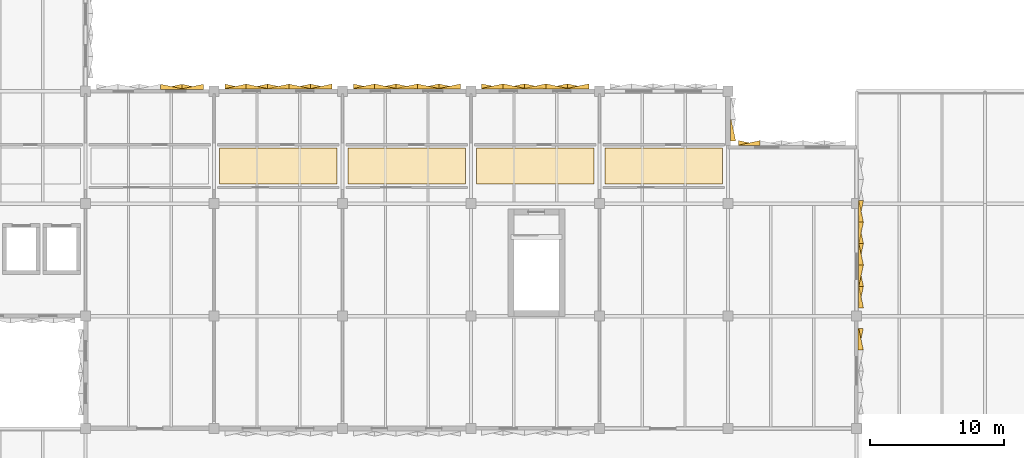
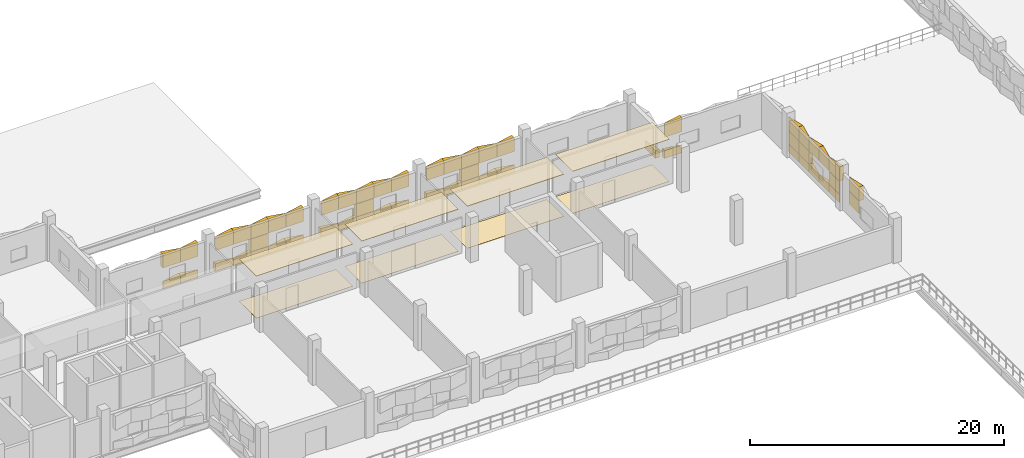
# One storey, part 76 of 86: 63 coverings.
"""IFC4 building model written with IfcOpenShell, lengths in metres."""

from ifc_helpers import new_model, si_unit, direction, frame, origin, place, context, subcontext, project, spatial, polyline, outline, extrude, material, layer, layer_set, type_object, element, save


model = new_model("IFC4")

# Units and contexts
model_context = context("Model", 3, precision=1e-05, world=origin(), true_north=direction((0.0, 1.0)))
body_context = subcontext(model_context, "Body", "Model", "MODEL_VIEW")
ifc_project = project(units=[si_unit("LENGTHUNIT", "METRE"), si_unit("AREAUNIT", "SQUARE_METRE"), si_unit("VOLUMEUNIT", "CUBIC_METRE"), si_unit("PLANEANGLEUNIT", "RADIAN"), si_unit("MASSUNIT", "GRAM", prefix="KILO")], contexts=[model_context])

# Site, building, storey
site_placement = place(None, origin())
site = spatial("IfcSite", under=ifc_project, at=site_placement, CompositionType="ELEMENT")
building_placement = place(site_placement, origin())
building = spatial("IfcBuilding", under=site, at=building_placement, Name="Oolite Switchyard Hospital", CompositionType="ELEMENT")
storey_placement = place(building_placement, frame((0.0, 0.0, 13.5)))
storey = spatial("IfcBuildingStorey", under=building, at=storey_placement, Name="L03", CompositionType="ELEMENT", Elevation=13.5)

# Coverings
ifc_material_1 = material(Name="Hygienic washable mineral-fibre acoustic ceiling")
ifc_layer_1 = layer(ifc_material_1, 0.0400390625)
ifc_layer_set_1 = layer_set([ifc_layer_1], Name="COV-CEIL-AC60")
covering_type_1 = type_object("IfcCoveringType", Name="COV-CEIL-AC60", PredefinedType="CEILING", material=ifc_layer_set_1)
covering_1_placement = place(storey_placement, frame((0.0, 0.0, 4.0400390625)))
element("IfcCovering", 1, at=covering_1_placement, inside=storey, type_object=covering_type_1, Name="L03 Rehabilitation and Penthouse Corridor L03 Ceiling 6", PredefinedType="CEILING", context=body_context, shape_type="SweptSolid", body=[
    extrude(outline(polyline([(67.60009765625, 102.25), (76.39990234375, 102.25), (76.39990234375, 104.949951171875), (67.60009765625, 104.949951171875), (67.60009765625, 102.25)])), origin(), (0.0, 0.0, 1.0), 0.0400390625),
])
covering_2_placement = place(storey_placement, frame((0.0, 0.0, 4.0400390625)))
element("IfcCovering", 2, at=covering_2_placement, inside=storey, type_object=covering_type_1, Name="L03 Rehabilitation and Penthouse Corridor L03 Ceiling 7", PredefinedType="CEILING", context=body_context, shape_type="SweptSolid", body=[
    extrude(outline(polyline([(77.199951171875, 102.25), (86.0, 102.25), (86.0, 104.949951171875), (77.199951171875, 104.949951171875), (77.199951171875, 102.25)])), origin(), (0.0, 0.0, 1.0), 0.0400390625),
])
covering_3_placement = place(storey_placement, frame((0.0, 0.0, 4.0400390625)))
element("IfcCovering", 3, at=covering_3_placement, inside=storey, type_object=covering_type_1, Name="L03 Rehabilitation and Penthouse Corridor L03 Ceiling 8", PredefinedType="CEILING", context=body_context, shape_type="SweptSolid", body=[
    extrude(outline(polyline([(86.800048828125, 102.25), (95.60009765625, 102.25), (95.60009765625, 104.949951171875), (86.800048828125, 104.949951171875), (86.800048828125, 102.25)])), origin(), (0.0, 0.0, 1.0), 0.0400390625),
])
covering_4_placement = place(storey_placement, frame((0.0, 0.0, 4.0400390625)))
element("IfcCovering", 4, at=covering_4_placement, inside=storey, type_object=covering_type_1, Name="L03 Rehabilitation and Penthouse Corridor L03 Ceiling 9", PredefinedType="CEILING", context=body_context, shape_type="SweptSolid", body=[
    extrude(outline(polyline([(96.39990234375, 102.25), (105.199951171875, 102.25), (105.199951171875, 104.949951171875), (96.39990234375, 104.949951171875), (96.39990234375, 102.25)])), origin(), (0.0, 0.0, 1.0), 0.0400390625),
])
ifc_material_2 = material(Name="Precast oolitic limestone architectural concrete C40/50", Category="masonry")
covering_type_2 = type_object("IfcCoveringType", Name="COV-CHEV-COOL", PredefinedType="CLADDING", material=ifc_material_2)
covering_5_placement = place(storey_placement, frame((106.39990234375, 105.1298828125, 0.050048828125), z_axis=(0.0, 0.0, 1.0), x_axis=(1.0, 0.0, 0.0)))
element("IfcCovering", 5, at=covering_5_placement, inside=storey, type_object=covering_type_2, Name="L03 Chevron Precast Oolite Panel 177", PredefinedType="CLADDING", context=body_context, shape_type="SweptSolid", body=[
    extrude(outline(polyline([(0.0, 0.0), (1.60009765625, 0.0), (1.60009765625, 0.044921875), (0.0, 0.385009765625), (0.0, 0.0)])), origin(), (0.0, 0.0, 1.0), 0.760009765625),
])
covering_6_placement = place(storey_placement, frame((106.39990234375, 105.1298828125, 2.090087890625), z_axis=(0.0, 0.0, 1.0), x_axis=(1.0, 0.0, 0.0)))
element("IfcCovering", 6, at=covering_6_placement, inside=storey, type_object=covering_type_2, Name="L03 Chevron Precast Oolite Panel 178", PredefinedType="CLADDING", context=body_context, shape_type="SweptSolid", body=[
    extrude(outline(polyline([(0.0, 0.0), (1.60009765625, 0.0), (1.60009765625, 0.385009765625), (0.0, 0.044921875), (0.0, 0.0)])), origin(), (0.0, 0.0, 1.0), 1.349853515625),
])
covering_7_placement = place(storey_placement, frame((105.7900390625, 107.10009765625, 0.050048828125), z_axis=(0.0, 0.0, 1.0), x_axis=(0.0, -1.0, 0.0)))
element("IfcCovering", 7, at=covering_7_placement, inside=storey, type_object=covering_type_2, Name="L03 Chevron Precast Oolite Panel 432", PredefinedType="CLADDING", context=body_context, shape_type="SweptSolid", body=[
    extrude(outline(polyline([(0.0, 0.0), (1.60009765625, 0.0), (1.60009765625, 0.385009765625), (0.0, 0.044921875), (0.0, 0.0)])), origin(), (0.0, 0.0, 1.0), 0.760009765625),
])
covering_8_placement = place(storey_placement, frame((115.330078125, 91.47998046875, 2.090087890625), z_axis=(0.0, 0.0, 1.0), x_axis=(0.0, -1.0, 0.0)))
element("IfcCovering", 8, at=covering_8_placement, inside=storey, type_object=covering_type_2, Name="L03 Chevron Precast Oolite Panel 436", PredefinedType="CLADDING", context=body_context, shape_type="SweptSolid", body=[
    extrude(outline(polyline([(0.0, 0.0), (1.60009765625, 0.0), (1.60009765625, 0.385009765625), (0.0, 0.044921875), (0.0, 0.0)])), origin(), (0.0, 0.0, 1.0), 1.349853515625),
])
covering_9_placement = place(storey_placement, frame((115.330078125, 91.47998046875, 0.830078125), z_axis=(0.0, 0.0, 1.0), x_axis=(0.0, -1.0, 0.0)))
element("IfcCovering", 9, at=covering_9_placement, inside=storey, type_object=covering_type_2, Name="L03 Chevron Precast Oolite Panel 437", PredefinedType="CLADDING", context=body_context, shape_type="SweptSolid", body=[
    extrude(outline(polyline([(0.0, 0.0), (1.60009765625, 0.0), (1.60009765625, 0.044921875), (0.0, 0.385009765625), (0.0, 0.0)])), origin(), (0.0, 0.0, 1.0), 1.239990234375),
])
covering_10_placement = place(storey_placement, frame((115.340087890625, 101.02001953125, 0.050048828125), z_axis=(0.0, 0.0, 1.0), x_axis=(0.0, -1.0, 0.0)))
element("IfcCovering", 10, at=covering_10_placement, inside=storey, type_object=covering_type_2, Name="L03 Chevron Precast Oolite Panel 451", PredefinedType="CLADDING", context=body_context, shape_type="SweptSolid", body=[
    extrude(outline(polyline([(0.0, 0.0), (1.60009765625, 0.0), (1.60009765625, 0.044921875), (0.0, 0.385009765625), (0.0, 0.0)])), origin(), (0.0, 0.0, 1.0), 0.760009765625),
])
covering_11_placement = place(storey_placement, frame((115.340087890625, 101.02001953125, 2.090087890625), z_axis=(0.0, 0.0, 1.0), x_axis=(0.0, -1.0, 0.0)))
element("IfcCovering", 11, at=covering_11_placement, inside=storey, type_object=covering_type_2, Name="L03 Chevron Precast Oolite Panel 452", PredefinedType="CLADDING", context=body_context, shape_type="SweptSolid", body=[
    extrude(outline(polyline([(0.0, 0.0), (1.60009765625, 0.0), (1.60009765625, 0.385009765625), (0.0, 0.044921875), (0.0, 0.0)])), origin(), (0.0, 0.0, 1.0), 1.349853515625),
])
covering_12_placement = place(storey_placement, frame((115.340087890625, 101.02001953125, 0.830078125), z_axis=(0.0, 0.0, 1.0), x_axis=(0.0, -1.0, 0.0)))
element("IfcCovering", 12, at=covering_12_placement, inside=storey, type_object=covering_type_2, Name="L03 Chevron Precast Oolite Panel 453", PredefinedType="CLADDING", context=body_context, shape_type="SweptSolid", body=[
    extrude(outline(polyline([(0.0, 0.0), (1.60009765625, 0.0), (1.60009765625, 0.044921875), (0.0, 0.385009765625), (0.0, 0.0)])), origin(), (0.0, 0.0, 1.0), 1.239990234375),
])
covering_13_placement = place(storey_placement, frame((115.340087890625, 99.419921875, 0.050048828125), z_axis=(0.0, 0.0, 1.0), x_axis=(0.0, -1.0, 0.0)))
element("IfcCovering", 13, at=covering_13_placement, inside=storey, type_object=covering_type_2, Name="L03 Chevron Precast Oolite Panel 454", PredefinedType="CLADDING", context=body_context, shape_type="SweptSolid", body=[
    extrude(outline(polyline([(0.0, 0.0), (1.599853515625, 0.0), (1.599853515625, 0.385009765625), (0.0, 0.044921875), (0.0, 0.0)])), origin(), (0.0, 0.0, 1.0), 0.760009765625),
])
covering_14_placement = place(storey_placement, frame((115.340087890625, 99.419921875, 2.090087890625), z_axis=(0.0, 0.0, 1.0), x_axis=(0.0, -1.0, 0.0)))
element("IfcCovering", 14, at=covering_14_placement, inside=storey, type_object=covering_type_2, Name="L03 Chevron Precast Oolite Panel 455", PredefinedType="CLADDING", context=body_context, shape_type="SweptSolid", body=[
    extrude(outline(polyline([(0.0, 0.0), (1.599853515625, 0.0), (1.599853515625, 0.044921875), (0.0, 0.385009765625), (0.0, 0.0)])), origin(), (0.0, 0.0, 1.0), 1.349853515625),
])
covering_15_placement = place(storey_placement, frame((115.340087890625, 99.419921875, 0.830078125), z_axis=(0.0, 0.0, 1.0), x_axis=(0.0, -1.0, 0.0)))
element("IfcCovering", 15, at=covering_15_placement, inside=storey, type_object=covering_type_2, Name="L03 Chevron Precast Oolite Panel 456", PredefinedType="CLADDING", context=body_context, shape_type="SweptSolid", body=[
    extrude(outline(polyline([(0.0, 0.0), (1.599853515625, 0.0), (1.599853515625, 0.385009765625), (0.0, 0.044921875), (0.0, 0.0)])), origin(), (0.0, 0.0, 1.0), 1.239990234375),
])
covering_16_placement = place(storey_placement, frame((115.340087890625, 97.820068359375, 0.050048828125), z_axis=(0.0, 0.0, 1.0), x_axis=(0.0, -1.0, 0.0)))
element("IfcCovering", 16, at=covering_16_placement, inside=storey, type_object=covering_type_2, Name="L03 Chevron Precast Oolite Panel 457", PredefinedType="CLADDING", context=body_context, shape_type="SweptSolid", body=[
    extrude(outline(polyline([(0.0, 0.0), (1.60009765625, 0.0), (1.60009765625, 0.044921875), (0.0, 0.385009765625), (0.0, 0.0)])), origin(), (0.0, 0.0, 1.0), 0.760009765625),
])
covering_17_placement = place(storey_placement, frame((115.340087890625, 97.820068359375, 2.090087890625), z_axis=(0.0, 0.0, 1.0), x_axis=(0.0, -1.0, 0.0)))
element("IfcCovering", 17, at=covering_17_placement, inside=storey, type_object=covering_type_2, Name="L03 Chevron Precast Oolite Panel 458", PredefinedType="CLADDING", context=body_context, shape_type="SweptSolid", body=[
    extrude(outline(polyline([(0.0, 0.0), (1.60009765625, 0.0), (1.60009765625, 0.385009765625), (0.0, 0.044921875), (0.0, 0.0)])), origin(), (0.0, 0.0, 1.0), 1.349853515625),
])
covering_18_placement = place(storey_placement, frame((115.340087890625, 96.219970703125, 0.050048828125), z_axis=(0.0, 0.0, 1.0), x_axis=(0.0, -1.0, 0.0)))
element("IfcCovering", 18, at=covering_18_placement, inside=storey, type_object=covering_type_2, Name="L03 Chevron Precast Oolite Panel 459", PredefinedType="CLADDING", context=body_context, shape_type="SweptSolid", body=[
    extrude(outline(polyline([(0.0, 0.0), (1.599853515625, 0.0), (1.599853515625, 0.385009765625), (0.0, 0.044921875), (0.0, 0.0)])), origin(), (0.0, 0.0, 1.0), 0.760009765625),
])
covering_19_placement = place(storey_placement, frame((115.340087890625, 96.219970703125, 2.090087890625), z_axis=(0.0, 0.0, 1.0), x_axis=(0.0, -1.0, 0.0)))
element("IfcCovering", 19, at=covering_19_placement, inside=storey, type_object=covering_type_2, Name="L03 Chevron Precast Oolite Panel 460", PredefinedType="CLADDING", context=body_context, shape_type="SweptSolid", body=[
    extrude(outline(polyline([(0.0, 0.0), (1.599853515625, 0.0), (1.599853515625, 0.044921875), (0.0, 0.385009765625), (0.0, 0.0)])), origin(), (0.0, 0.0, 1.0), 1.349853515625),
])
covering_20_placement = place(storey_placement, frame((115.340087890625, 94.6201171875, 0.050048828125), z_axis=(0.0, 0.0, 1.0), x_axis=(0.0, -1.0, 0.0)))
element("IfcCovering", 20, at=covering_20_placement, inside=storey, type_object=covering_type_2, Name="L03 Chevron Precast Oolite Panel 461", PredefinedType="CLADDING", context=body_context, shape_type="SweptSolid", body=[
    extrude(outline(polyline([(0.0, 0.0), (1.60009765625, 0.0), (1.60009765625, 0.044921875), (0.0, 0.385009765625), (0.0, 0.0)])), origin(), (0.0, 0.0, 1.0), 0.760009765625),
])
covering_21_placement = place(storey_placement, frame((115.340087890625, 94.6201171875, 2.090087890625), z_axis=(0.0, 0.0, 1.0), x_axis=(0.0, -1.0, 0.0)))
element("IfcCovering", 21, at=covering_21_placement, inside=storey, type_object=covering_type_2, Name="L03 Chevron Precast Oolite Panel 462", PredefinedType="CLADDING", context=body_context, shape_type="SweptSolid", body=[
    extrude(outline(polyline([(0.0, 0.0), (1.60009765625, 0.0), (1.60009765625, 0.385009765625), (0.0, 0.044921875), (0.0, 0.0)])), origin(), (0.0, 0.0, 1.0), 1.349853515625),
])
covering_22_placement = place(storey_placement, frame((115.340087890625, 94.6201171875, 0.830078125), z_axis=(0.0, 0.0, 1.0), x_axis=(0.0, -1.0, 0.0)))
element("IfcCovering", 22, at=covering_22_placement, inside=storey, type_object=covering_type_2, Name="L03 Chevron Precast Oolite Panel 463", PredefinedType="CLADDING", context=body_context, shape_type="SweptSolid", body=[
    extrude(outline(polyline([(0.0, 0.0), (1.60009765625, 0.0), (1.60009765625, 0.044921875), (0.0, 0.385009765625), (0.0, 0.0)])), origin(), (0.0, 0.0, 1.0), 1.239990234375),
])
covering_type_3 = type_object("IfcCoveringType", Name="COV-CHEV-WARM", PredefinedType="CLADDING", material=ifc_material_2)
covering_23_placement = place(storey_placement, frame((63.199951171875, 109.340087890625, 0.050048828125), z_axis=(0.0, 0.0, 1.0), x_axis=(1.0, 0.0, 0.0)))
element("IfcCovering", 23, at=covering_23_placement, inside=storey, type_object=covering_type_3, Name="L03 Chevron Precast Oolite Panel 195", PredefinedType="CLADDING", context=body_context, shape_type="SweptSolid", body=[
    extrude(outline(polyline([(0.0, 0.0), (1.60009765625, 0.0), (1.60009765625, 0.385009765625), (0.0, 0.044921875), (0.0, 0.0)])), origin(), (0.0, 0.0, 1.0), 0.760009765625),
])
covering_24_placement = place(storey_placement, frame((63.199951171875, 109.340087890625, 2.090087890625), z_axis=(0.0, 0.0, 1.0), x_axis=(1.0, 0.0, 0.0)))
element("IfcCovering", 24, at=covering_24_placement, inside=storey, type_object=covering_type_3, Name="L03 Chevron Precast Oolite Panel 196", PredefinedType="CLADDING", context=body_context, shape_type="SweptSolid", body=[
    extrude(outline(polyline([(0.0, 0.0), (1.60009765625, 0.0), (1.60009765625, 0.044921875), (0.0, 0.385009765625), (0.0, 0.0)])), origin(), (0.0, 0.0, 1.0), 1.349853515625),
])
covering_25_placement = place(storey_placement, frame((64.800048828125, 109.340087890625, 0.050048828125), z_axis=(0.0, 0.0, 1.0), x_axis=(1.0, 0.0, 0.0)))
element("IfcCovering", 25, at=covering_25_placement, inside=storey, type_object=covering_type_3, Name="L03 Chevron Precast Oolite Panel 197", PredefinedType="CLADDING", context=body_context, shape_type="SweptSolid", body=[
    extrude(outline(polyline([(0.0, 0.0), (1.599853515625, 0.0), (1.599853515625, 0.044921875), (0.0, 0.385009765625), (0.0, 0.0)])), origin(), (0.0, 0.0, 1.0), 0.760009765625),
])
covering_26_placement = place(storey_placement, frame((64.800048828125, 109.340087890625, 2.090087890625), z_axis=(0.0, 0.0, 1.0), x_axis=(1.0, 0.0, 0.0)))
element("IfcCovering", 26, at=covering_26_placement, inside=storey, type_object=covering_type_3, Name="L03 Chevron Precast Oolite Panel 198", PredefinedType="CLADDING", context=body_context, shape_type="SweptSolid", body=[
    extrude(outline(polyline([(0.0, 0.0), (1.599853515625, 0.0), (1.599853515625, 0.385009765625), (0.0, 0.044921875), (0.0, 0.0)])), origin(), (0.0, 0.0, 1.0), 1.349853515625),
])
covering_27_placement = place(storey_placement, frame((68.0, 109.35009765625, 0.050048828125), z_axis=(0.0, 0.0, 1.0), x_axis=(1.0, 0.0, 0.0)))
element("IfcCovering", 27, at=covering_27_placement, inside=storey, type_object=covering_type_3, Name="L03 Chevron Precast Oolite Panel 199", PredefinedType="CLADDING", context=body_context, shape_type="SweptSolid", body=[
    extrude(outline(polyline([(0.0, 0.0), (1.60009765625, 0.0), (1.60009765625, 0.044921875), (0.0, 0.385009765625), (0.0, 0.0)])), origin(), (0.0, 0.0, 1.0), 0.760009765625),
])
covering_28_placement = place(storey_placement, frame((68.0, 109.35009765625, 2.090087890625), z_axis=(0.0, 0.0, 1.0), x_axis=(1.0, 0.0, 0.0)))
element("IfcCovering", 28, at=covering_28_placement, inside=storey, type_object=covering_type_3, Name="L03 Chevron Precast Oolite Panel 200", PredefinedType="CLADDING", context=body_context, shape_type="SweptSolid", body=[
    extrude(outline(polyline([(0.0, 0.0), (1.60009765625, 0.0), (1.60009765625, 0.385009765625), (0.0, 0.044921875), (0.0, 0.0)])), origin(), (0.0, 0.0, 1.0), 1.349853515625),
])
covering_29_placement = place(storey_placement, frame((69.60009765625, 109.35009765625, 0.050048828125), z_axis=(0.0, 0.0, 1.0), x_axis=(1.0, 0.0, 0.0)))
element("IfcCovering", 29, at=covering_29_placement, inside=storey, type_object=covering_type_3, Name="L03 Chevron Precast Oolite Panel 201", PredefinedType="CLADDING", context=body_context, shape_type="SweptSolid", body=[
    extrude(outline(polyline([(0.0, 0.0), (1.599853515625, 0.0), (1.599853515625, 0.385009765625), (0.0, 0.044921875), (0.0, 0.0)])), origin(), (0.0, 0.0, 1.0), 0.760009765625),
])
covering_30_placement = place(storey_placement, frame((69.60009765625, 109.35009765625, 2.090087890625), z_axis=(0.0, 0.0, 1.0), x_axis=(1.0, 0.0, 0.0)))
element("IfcCovering", 30, at=covering_30_placement, inside=storey, type_object=covering_type_3, Name="L03 Chevron Precast Oolite Panel 202", PredefinedType="CLADDING", context=body_context, shape_type="SweptSolid", body=[
    extrude(outline(polyline([(0.0, 0.0), (1.599853515625, 0.0), (1.599853515625, 0.044921875), (0.0, 0.385009765625), (0.0, 0.0)])), origin(), (0.0, 0.0, 1.0), 1.349853515625),
])
covering_31_placement = place(storey_placement, frame((71.199951171875, 109.35009765625, 0.050048828125), z_axis=(0.0, 0.0, 1.0), x_axis=(1.0, 0.0, 0.0)))
element("IfcCovering", 31, at=covering_31_placement, inside=storey, type_object=covering_type_3, Name="L03 Chevron Precast Oolite Panel 203", PredefinedType="CLADDING", context=body_context, shape_type="SweptSolid", body=[
    extrude(outline(polyline([(0.0, 0.0), (1.60009765625, 0.0), (1.60009765625, 0.044921875), (0.0, 0.385009765625), (0.0, 0.0)])), origin(), (0.0, 0.0, 1.0), 0.760009765625),
])
covering_32_placement = place(storey_placement, frame((71.199951171875, 109.35009765625, 2.090087890625), z_axis=(0.0, 0.0, 1.0), x_axis=(1.0, 0.0, 0.0)))
element("IfcCovering", 32, at=covering_32_placement, inside=storey, type_object=covering_type_3, Name="L03 Chevron Precast Oolite Panel 204", PredefinedType="CLADDING", context=body_context, shape_type="SweptSolid", body=[
    extrude(outline(polyline([(0.0, 0.0), (1.60009765625, 0.0), (1.60009765625, 0.385009765625), (0.0, 0.044921875), (0.0, 0.0)])), origin(), (0.0, 0.0, 1.0), 1.349853515625),
])
covering_33_placement = place(storey_placement, frame((71.199951171875, 109.35009765625, 0.830078125), z_axis=(0.0, 0.0, 1.0), x_axis=(1.0, 0.0, 0.0)))
element("IfcCovering", 33, at=covering_33_placement, inside=storey, type_object=covering_type_3, Name="L03 Chevron Precast Oolite Panel 205", PredefinedType="CLADDING", context=body_context, shape_type="SweptSolid", body=[
    extrude(outline(polyline([(0.0, 0.0), (1.60009765625, 0.0), (1.60009765625, 0.044921875), (0.0, 0.385009765625), (0.0, 0.0)])), origin(), (0.0, 0.0, 1.0), 1.239990234375),
])
covering_34_placement = place(storey_placement, frame((72.800048828125, 109.35009765625, 0.050048828125), z_axis=(0.0, 0.0, 1.0), x_axis=(1.0, 0.0, 0.0)))
element("IfcCovering", 34, at=covering_34_placement, inside=storey, type_object=covering_type_3, Name="L03 Chevron Precast Oolite Panel 206", PredefinedType="CLADDING", context=body_context, shape_type="SweptSolid", body=[
    extrude(outline(polyline([(0.0, 0.0), (1.599853515625, 0.0), (1.599853515625, 0.385009765625), (0.0, 0.044921875), (0.0, 0.0)])), origin(), (0.0, 0.0, 1.0), 0.760009765625),
])
covering_35_placement = place(storey_placement, frame((72.800048828125, 109.35009765625, 2.090087890625), z_axis=(0.0, 0.0, 1.0), x_axis=(1.0, 0.0, 0.0)))
element("IfcCovering", 35, at=covering_35_placement, inside=storey, type_object=covering_type_3, Name="L03 Chevron Precast Oolite Panel 207", PredefinedType="CLADDING", context=body_context, shape_type="SweptSolid", body=[
    extrude(outline(polyline([(0.0, 0.0), (1.599853515625, 0.0), (1.599853515625, 0.044921875), (0.0, 0.385009765625), (0.0, 0.0)])), origin(), (0.0, 0.0, 1.0), 1.349853515625),
])
covering_36_placement = place(storey_placement, frame((74.39990234375, 109.35009765625, 0.050048828125), z_axis=(0.0, 0.0, 1.0), x_axis=(1.0, 0.0, 0.0)))
element("IfcCovering", 36, at=covering_36_placement, inside=storey, type_object=covering_type_3, Name="L03 Chevron Precast Oolite Panel 208", PredefinedType="CLADDING", context=body_context, shape_type="SweptSolid", body=[
    extrude(outline(polyline([(0.0, 0.0), (1.60009765625, 0.0), (1.60009765625, 0.044921875), (0.0, 0.385009765625), (0.0, 0.0)])), origin(), (0.0, 0.0, 1.0), 0.760009765625),
])
covering_37_placement = place(storey_placement, frame((74.39990234375, 109.35009765625, 2.090087890625), z_axis=(0.0, 0.0, 1.0), x_axis=(1.0, 0.0, 0.0)))
element("IfcCovering", 37, at=covering_37_placement, inside=storey, type_object=covering_type_3, Name="L03 Chevron Precast Oolite Panel 209", PredefinedType="CLADDING", context=body_context, shape_type="SweptSolid", body=[
    extrude(outline(polyline([(0.0, 0.0), (1.60009765625, 0.0), (1.60009765625, 0.385009765625), (0.0, 0.044921875), (0.0, 0.0)])), origin(), (0.0, 0.0, 1.0), 1.349853515625),
])
covering_38_placement = place(storey_placement, frame((77.60009765625, 109.360107421875, 0.050048828125), z_axis=(0.0, 0.0, 1.0), x_axis=(1.0, 0.0, 0.0)))
element("IfcCovering", 38, at=covering_38_placement, inside=storey, type_object=covering_type_3, Name="L03 Chevron Precast Oolite Panel 210", PredefinedType="CLADDING", context=body_context, shape_type="SweptSolid", body=[
    extrude(outline(polyline([(0.0, 0.0), (1.599853515625, 0.0), (1.599853515625, 0.044921875), (0.0, 0.385009765625), (0.0, 0.0)])), origin(), (0.0, 0.0, 1.0), 0.760009765625),
])
covering_39_placement = place(storey_placement, frame((77.60009765625, 109.360107421875, 2.090087890625), z_axis=(0.0, 0.0, 1.0), x_axis=(1.0, 0.0, 0.0)))
element("IfcCovering", 39, at=covering_39_placement, inside=storey, type_object=covering_type_3, Name="L03 Chevron Precast Oolite Panel 211", PredefinedType="CLADDING", context=body_context, shape_type="SweptSolid", body=[
    extrude(outline(polyline([(0.0, 0.0), (1.599853515625, 0.0), (1.599853515625, 0.385009765625), (0.0, 0.044921875), (0.0, 0.0)])), origin(), (0.0, 0.0, 1.0), 1.349853515625),
])
covering_40_placement = place(storey_placement, frame((79.199951171875, 109.360107421875, 0.050048828125), z_axis=(0.0, 0.0, 1.0), x_axis=(1.0, 0.0, 0.0)))
element("IfcCovering", 40, at=covering_40_placement, inside=storey, type_object=covering_type_3, Name="L03 Chevron Precast Oolite Panel 212", PredefinedType="CLADDING", context=body_context, shape_type="SweptSolid", body=[
    extrude(outline(polyline([(0.0, 0.0), (1.60009765625, 0.0), (1.60009765625, 0.385009765625), (0.0, 0.044921875), (0.0, 0.0)])), origin(), (0.0, 0.0, 1.0), 0.760009765625),
])
covering_41_placement = place(storey_placement, frame((79.199951171875, 109.360107421875, 2.090087890625), z_axis=(0.0, 0.0, 1.0), x_axis=(1.0, 0.0, 0.0)))
element("IfcCovering", 41, at=covering_41_placement, inside=storey, type_object=covering_type_3, Name="L03 Chevron Precast Oolite Panel 213", PredefinedType="CLADDING", context=body_context, shape_type="SweptSolid", body=[
    extrude(outline(polyline([(0.0, 0.0), (1.60009765625, 0.0), (1.60009765625, 0.044921875), (0.0, 0.385009765625), (0.0, 0.0)])), origin(), (0.0, 0.0, 1.0), 1.349853515625),
])
covering_42_placement = place(storey_placement, frame((80.800048828125, 109.360107421875, 0.050048828125), z_axis=(0.0, 0.0, 1.0), x_axis=(1.0, 0.0, 0.0)))
element("IfcCovering", 42, at=covering_42_placement, inside=storey, type_object=covering_type_3, Name="L03 Chevron Precast Oolite Panel 214", PredefinedType="CLADDING", context=body_context, shape_type="SweptSolid", body=[
    extrude(outline(polyline([(0.0, 0.0), (1.599853515625, 0.0), (1.599853515625, 0.044921875), (0.0, 0.385009765625), (0.0, 0.0)])), origin(), (0.0, 0.0, 1.0), 0.760009765625),
])
covering_43_placement = place(storey_placement, frame((80.800048828125, 109.360107421875, 2.090087890625), z_axis=(0.0, 0.0, 1.0), x_axis=(1.0, 0.0, 0.0)))
element("IfcCovering", 43, at=covering_43_placement, inside=storey, type_object=covering_type_3, Name="L03 Chevron Precast Oolite Panel 215", PredefinedType="CLADDING", context=body_context, shape_type="SweptSolid", body=[
    extrude(outline(polyline([(0.0, 0.0), (1.599853515625, 0.0), (1.599853515625, 0.385009765625), (0.0, 0.044921875), (0.0, 0.0)])), origin(), (0.0, 0.0, 1.0), 1.349853515625),
])
covering_44_placement = place(storey_placement, frame((80.800048828125, 109.360107421875, 0.830078125), z_axis=(0.0, 0.0, 1.0), x_axis=(1.0, 0.0, 0.0)))
element("IfcCovering", 44, at=covering_44_placement, inside=storey, type_object=covering_type_3, Name="L03 Chevron Precast Oolite Panel 216", PredefinedType="CLADDING", context=body_context, shape_type="SweptSolid", body=[
    extrude(outline(polyline([(0.0, 0.0), (1.599853515625, 0.0), (1.599853515625, 0.044921875), (0.0, 0.385009765625), (0.0, 0.0)])), origin(), (0.0, 0.0, 1.0), 1.239990234375),
])
covering_45_placement = place(storey_placement, frame((82.39990234375, 109.360107421875, 0.050048828125), z_axis=(0.0, 0.0, 1.0), x_axis=(1.0, 0.0, 0.0)))
element("IfcCovering", 45, at=covering_45_placement, inside=storey, type_object=covering_type_3, Name="L03 Chevron Precast Oolite Panel 217", PredefinedType="CLADDING", context=body_context, shape_type="SweptSolid", body=[
    extrude(outline(polyline([(0.0, 0.0), (1.60009765625, 0.0), (1.60009765625, 0.385009765625), (0.0, 0.044921875), (0.0, 0.0)])), origin(), (0.0, 0.0, 1.0), 0.760009765625),
])
covering_46_placement = place(storey_placement, frame((82.39990234375, 109.360107421875, 2.090087890625), z_axis=(0.0, 0.0, 1.0), x_axis=(1.0, 0.0, 0.0)))
element("IfcCovering", 46, at=covering_46_placement, inside=storey, type_object=covering_type_3, Name="L03 Chevron Precast Oolite Panel 218", PredefinedType="CLADDING", context=body_context, shape_type="SweptSolid", body=[
    extrude(outline(polyline([(0.0, 0.0), (1.60009765625, 0.0), (1.60009765625, 0.044921875), (0.0, 0.385009765625), (0.0, 0.0)])), origin(), (0.0, 0.0, 1.0), 1.349853515625),
])
covering_47_placement = place(storey_placement, frame((84.0, 109.360107421875, 0.050048828125), z_axis=(0.0, 0.0, 1.0), x_axis=(1.0, 0.0, 0.0)))
element("IfcCovering", 47, at=covering_47_placement, inside=storey, type_object=covering_type_3, Name="L03 Chevron Precast Oolite Panel 219", PredefinedType="CLADDING", context=body_context, shape_type="SweptSolid", body=[
    extrude(outline(polyline([(0.0, 0.0), (1.60009765625, 0.0), (1.60009765625, 0.044921875), (0.0, 0.385009765625), (0.0, 0.0)])), origin(), (0.0, 0.0, 1.0), 0.760009765625),
])
covering_48_placement = place(storey_placement, frame((84.0, 109.360107421875, 2.090087890625), z_axis=(0.0, 0.0, 1.0), x_axis=(1.0, 0.0, 0.0)))
element("IfcCovering", 48, at=covering_48_placement, inside=storey, type_object=covering_type_3, Name="L03 Chevron Precast Oolite Panel 220", PredefinedType="CLADDING", context=body_context, shape_type="SweptSolid", body=[
    extrude(outline(polyline([(0.0, 0.0), (1.60009765625, 0.0), (1.60009765625, 0.385009765625), (0.0, 0.044921875), (0.0, 0.0)])), origin(), (0.0, 0.0, 1.0), 1.349853515625),
])
covering_49_placement = place(storey_placement, frame((87.199951171875, 109.3701171875, 0.050048828125), z_axis=(0.0, 0.0, 1.0), x_axis=(1.0, 0.0, 0.0)))
element("IfcCovering", 49, at=covering_49_placement, inside=storey, type_object=covering_type_3, Name="L03 Chevron Precast Oolite Panel 221", PredefinedType="CLADDING", context=body_context, shape_type="SweptSolid", body=[
    extrude(outline(polyline([(0.0, 0.0), (1.60009765625, 0.0), (1.60009765625, 0.044921875), (0.0, 0.385009765625), (0.0, 0.0)])), origin(), (0.0, 0.0, 1.0), 0.760009765625),
])
covering_50_placement = place(storey_placement, frame((87.199951171875, 109.3701171875, 2.090087890625), z_axis=(0.0, 0.0, 1.0), x_axis=(1.0, 0.0, 0.0)))
element("IfcCovering", 50, at=covering_50_placement, inside=storey, type_object=covering_type_3, Name="L03 Chevron Precast Oolite Panel 222", PredefinedType="CLADDING", context=body_context, shape_type="SweptSolid", body=[
    extrude(outline(polyline([(0.0, 0.0), (1.60009765625, 0.0), (1.60009765625, 0.385009765625), (0.0, 0.044921875), (0.0, 0.0)])), origin(), (0.0, 0.0, 1.0), 1.349853515625),
])
covering_51_placement = place(storey_placement, frame((88.800048828125, 109.3701171875, 0.050048828125), z_axis=(0.0, 0.0, 1.0), x_axis=(1.0, 0.0, 0.0)))
element("IfcCovering", 51, at=covering_51_placement, inside=storey, type_object=covering_type_3, Name="L03 Chevron Precast Oolite Panel 223", PredefinedType="CLADDING", context=body_context, shape_type="SweptSolid", body=[
    extrude(outline(polyline([(0.0, 0.0), (1.599853515625, 0.0), (1.599853515625, 0.385009765625), (0.0, 0.044921875), (0.0, 0.0)])), origin(), (0.0, 0.0, 1.0), 0.760009765625),
])
covering_52_placement = place(storey_placement, frame((88.800048828125, 109.3701171875, 2.090087890625), z_axis=(0.0, 0.0, 1.0), x_axis=(1.0, 0.0, 0.0)))
element("IfcCovering", 52, at=covering_52_placement, inside=storey, type_object=covering_type_3, Name="L03 Chevron Precast Oolite Panel 224", PredefinedType="CLADDING", context=body_context, shape_type="SweptSolid", body=[
    extrude(outline(polyline([(0.0, 0.0), (1.599853515625, 0.0), (1.599853515625, 0.044921875), (0.0, 0.385009765625), (0.0, 0.0)])), origin(), (0.0, 0.0, 1.0), 1.349853515625),
])
covering_53_placement = place(storey_placement, frame((90.39990234375, 109.3701171875, 0.050048828125), z_axis=(0.0, 0.0, 1.0), x_axis=(1.0, 0.0, 0.0)))
element("IfcCovering", 53, at=covering_53_placement, inside=storey, type_object=covering_type_3, Name="L03 Chevron Precast Oolite Panel 225", PredefinedType="CLADDING", context=body_context, shape_type="SweptSolid", body=[
    extrude(outline(polyline([(0.0, 0.0), (1.60009765625, 0.0), (1.60009765625, 0.044921875), (0.0, 0.385009765625), (0.0, 0.0)])), origin(), (0.0, 0.0, 1.0), 0.760009765625),
])
covering_54_placement = place(storey_placement, frame((90.39990234375, 109.3701171875, 2.090087890625), z_axis=(0.0, 0.0, 1.0), x_axis=(1.0, 0.0, 0.0)))
element("IfcCovering", 54, at=covering_54_placement, inside=storey, type_object=covering_type_3, Name="L03 Chevron Precast Oolite Panel 226", PredefinedType="CLADDING", context=body_context, shape_type="SweptSolid", body=[
    extrude(outline(polyline([(0.0, 0.0), (1.60009765625, 0.0), (1.60009765625, 0.385009765625), (0.0, 0.044921875), (0.0, 0.0)])), origin(), (0.0, 0.0, 1.0), 1.349853515625),
])
covering_55_placement = place(storey_placement, frame((90.39990234375, 109.3701171875, 0.830078125), z_axis=(0.0, 0.0, 1.0), x_axis=(1.0, 0.0, 0.0)))
element("IfcCovering", 55, at=covering_55_placement, inside=storey, type_object=covering_type_3, Name="L03 Chevron Precast Oolite Panel 227", PredefinedType="CLADDING", context=body_context, shape_type="SweptSolid", body=[
    extrude(outline(polyline([(0.0, 0.0), (1.60009765625, 0.0), (1.60009765625, 0.044921875), (0.0, 0.385009765625), (0.0, 0.0)])), origin(), (0.0, 0.0, 1.0), 1.239990234375),
])
covering_56_placement = place(storey_placement, frame((92.0, 109.3701171875, 0.050048828125), z_axis=(0.0, 0.0, 1.0), x_axis=(1.0, 0.0, 0.0)))
element("IfcCovering", 56, at=covering_56_placement, inside=storey, type_object=covering_type_3, Name="L03 Chevron Precast Oolite Panel 228", PredefinedType="CLADDING", context=body_context, shape_type="SweptSolid", body=[
    extrude(outline(polyline([(0.0, 0.0), (1.60009765625, 0.0), (1.60009765625, 0.385009765625), (0.0, 0.044921875), (0.0, 0.0)])), origin(), (0.0, 0.0, 1.0), 0.760009765625),
])
covering_57_placement = place(storey_placement, frame((92.0, 109.3701171875, 2.090087890625), z_axis=(0.0, 0.0, 1.0), x_axis=(1.0, 0.0, 0.0)))
element("IfcCovering", 57, at=covering_57_placement, inside=storey, type_object=covering_type_3, Name="L03 Chevron Precast Oolite Panel 229", PredefinedType="CLADDING", context=body_context, shape_type="SweptSolid", body=[
    extrude(outline(polyline([(0.0, 0.0), (1.60009765625, 0.0), (1.60009765625, 0.044921875), (0.0, 0.385009765625), (0.0, 0.0)])), origin(), (0.0, 0.0, 1.0), 1.349853515625),
])
covering_58_placement = place(storey_placement, frame((93.60009765625, 109.3701171875, 0.050048828125), z_axis=(0.0, 0.0, 1.0), x_axis=(1.0, 0.0, 0.0)))
element("IfcCovering", 58, at=covering_58_placement, inside=storey, type_object=covering_type_3, Name="L03 Chevron Precast Oolite Panel 230", PredefinedType="CLADDING", context=body_context, shape_type="SweptSolid", body=[
    extrude(outline(polyline([(0.0, 0.0), (1.599853515625, 0.0), (1.599853515625, 0.044921875), (0.0, 0.385009765625), (0.0, 0.0)])), origin(), (0.0, 0.0, 1.0), 0.760009765625),
])
covering_59_placement = place(storey_placement, frame((93.60009765625, 109.3701171875, 2.090087890625), z_axis=(0.0, 0.0, 1.0), x_axis=(1.0, 0.0, 0.0)))
element("IfcCovering", 59, at=covering_59_placement, inside=storey, type_object=covering_type_3, Name="L03 Chevron Precast Oolite Panel 231", PredefinedType="CLADDING", context=body_context, shape_type="SweptSolid", body=[
    extrude(outline(polyline([(0.0, 0.0), (1.599853515625, 0.0), (1.599853515625, 0.385009765625), (0.0, 0.044921875), (0.0, 0.0)])), origin(), (0.0, 0.0, 1.0), 1.349853515625),
])
ifc_material_3 = material(Name="Epoxy terrazzo seamless clinical flooring")
ifc_layer_2 = layer(ifc_material_3, 0.02001953125)
ifc_layer_set_2 = layer_set([ifc_layer_2], Name="COV-FLR-TER20")
covering_type_4 = type_object("IfcCoveringType", Name="COV-FLR-TER20", PredefinedType="FLOORING", material=ifc_layer_set_2)
covering_60_placement = place(storey_placement, origin())
element("IfcCovering", 60, at=covering_60_placement, inside=storey, type_object=covering_type_4, Name="L03 Rehabilitation and Penthouse Corridor L03 Flooring 6", PredefinedType="FLOORING", context=body_context, shape_type="SweptSolid", body=[
    extrude(outline(polyline([(67.60009765625, 102.25), (76.39990234375, 102.25), (76.39990234375, 104.949951171875), (67.60009765625, 104.949951171875), (67.60009765625, 102.25)])), origin(), (0.0, 0.0, 1.0), 0.02001953125),
])
covering_61_placement = place(storey_placement, origin())
element("IfcCovering", 61, at=covering_61_placement, inside=storey, type_object=covering_type_4, Name="L03 Rehabilitation and Penthouse Corridor L03 Flooring 7", PredefinedType="FLOORING", context=body_context, shape_type="SweptSolid", body=[
    extrude(outline(polyline([(77.199951171875, 102.25), (86.0, 102.25), (86.0, 104.949951171875), (77.199951171875, 104.949951171875), (77.199951171875, 102.25)])), origin(), (0.0, 0.0, 1.0), 0.02001953125),
])
covering_62_placement = place(storey_placement, origin())
element("IfcCovering", 62, at=covering_62_placement, inside=storey, type_object=covering_type_4, Name="L03 Rehabilitation and Penthouse Corridor L03 Flooring 8", PredefinedType="FLOORING", context=body_context, shape_type="SweptSolid", body=[
    extrude(outline(polyline([(86.800048828125, 102.25), (95.60009765625, 102.25), (95.60009765625, 104.949951171875), (86.800048828125, 104.949951171875), (86.800048828125, 102.25)])), origin(), (0.0, 0.0, 1.0), 0.02001953125),
])
covering_63_placement = place(storey_placement, origin())
element("IfcCovering", 63, at=covering_63_placement, inside=storey, type_object=covering_type_4, Name="L03 Rehabilitation and Penthouse Corridor L03 Flooring 9", PredefinedType="FLOORING", context=body_context, shape_type="SweptSolid", body=[
    extrude(outline(polyline([(96.39990234375, 102.25), (105.199951171875, 102.25), (105.199951171875, 104.949951171875), (96.39990234375, 104.949951171875), (96.39990234375, 102.25)])), origin(), (0.0, 0.0, 1.0), 0.02001953125),
])

save(model, "model.ifc")
